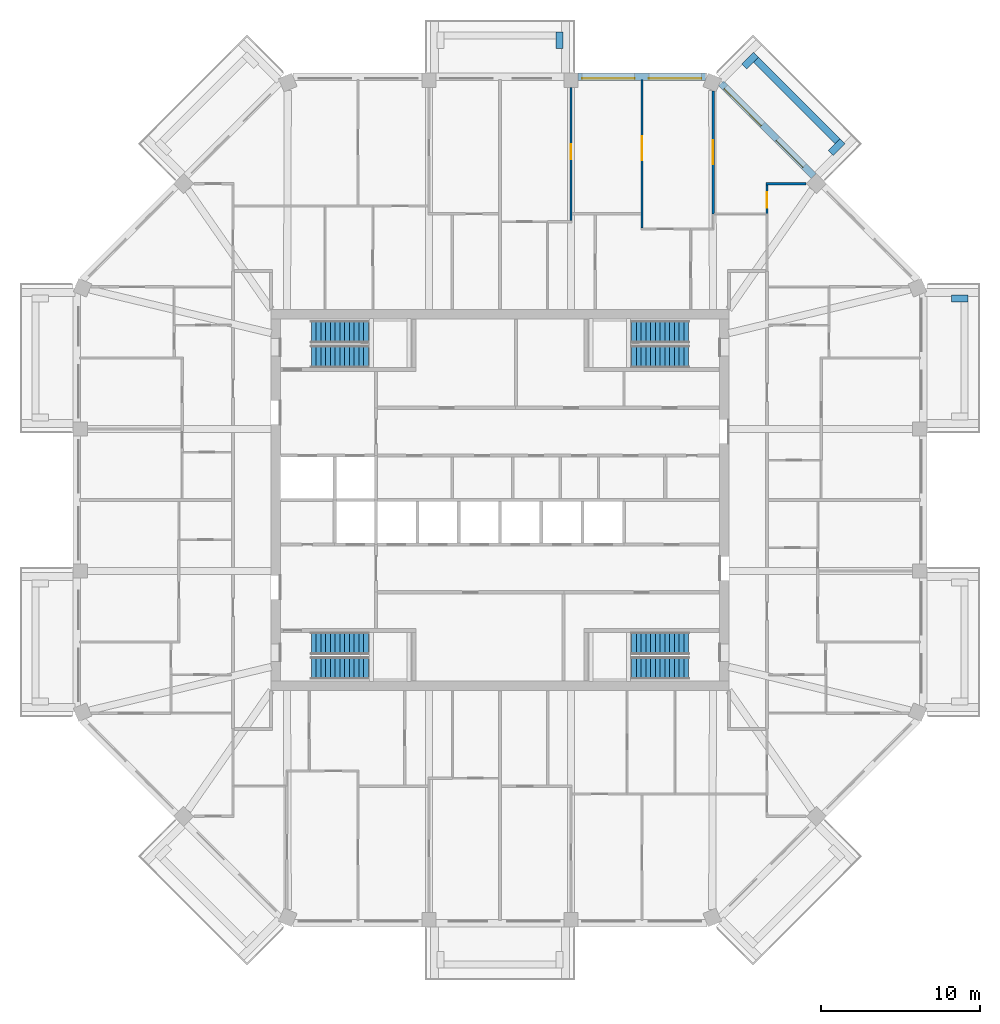
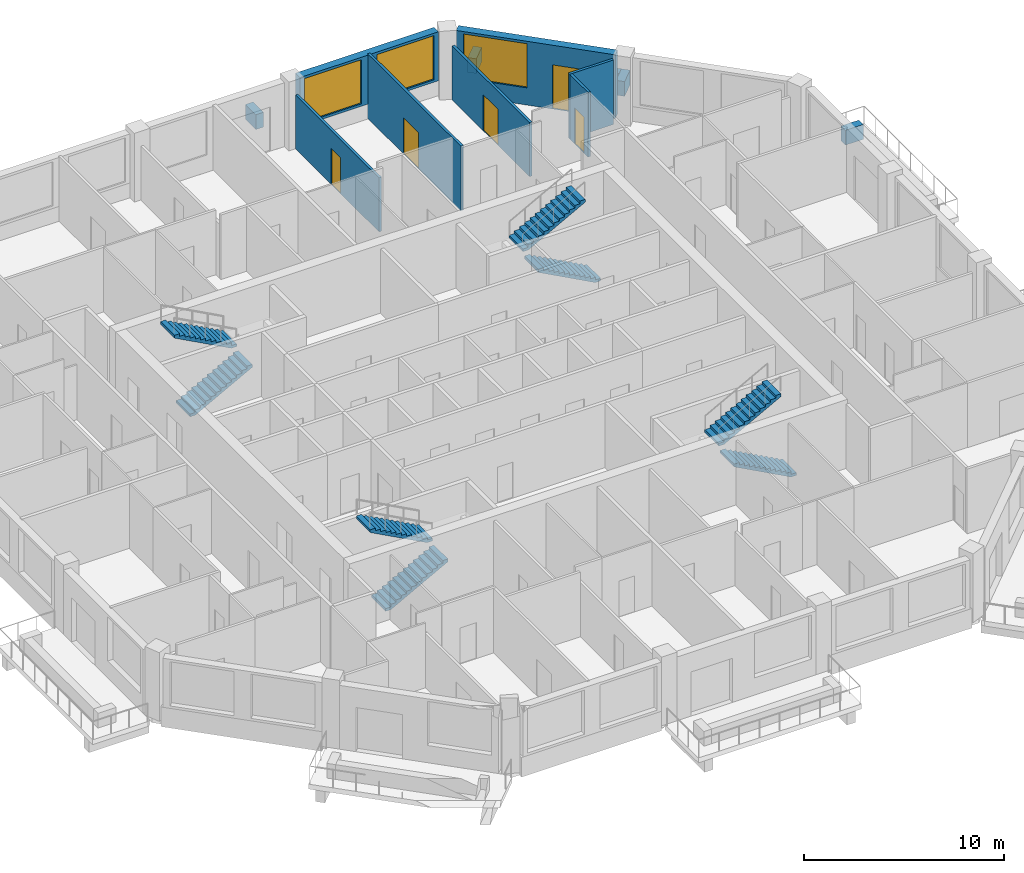
# One storey, part 10 of 12: 12 walls, 8 stair flights, 5 doors, 3 windows, 8 openings, 4 elements without a shape of their own.
"""IFC4 building model written with IfcOpenShell, lengths in metres."""

import ifcopenshell
import ifcopenshell.guid

model = None  # the IFC model being written
_history = None  # IfcOwnerHistory: only IFC2X3 demands one
_inside = {}  # id of a spatial element -> (the spatial element, [elements in it])
_under = {}  # id of a project, library or spatial element -> (it, [spatial elements below it])
_declared = {}  # id of a project -> (the project, [libraries it declares])
_typed = {}  # id of a type object -> (the type object, [elements of that type])
_made_of = {}  # id of a material, layer set ... -> (it, [elements and type objects made of it])


def new_model(schema):
    """Start an empty IFC model of exactly this schema.

    Asked for "IFC4X3", IfcOpenShell would pick the latest addendum, in which some entities
    have other attributes; the version numbers below select the first issue.
    IFC2X3 requires an IfcOwnerHistory on every rooted entity: one is made here for all.
    """
    global model, _history
    if schema == "IFC4X3":
        model = ifcopenshell.file(schema_version=(4, 3, 0, 0))
    else:
        model = ifcopenshell.file(schema=schema)
    _inside.clear()
    _under.clear()
    _declared.clear()
    _typed.clear()
    _made_of.clear()
    _history = None
    if model.schema == "IFC2X3":
        org = make("IfcOrganization", Name="unknown")
        user = make(
            "IfcPersonAndOrganization",
            ThePerson=make("IfcPerson", FamilyName="unknown"),
            TheOrganization=org,
        )
        app = make(
            "IfcApplication",
            ApplicationDeveloper=org,
            Version="unknown",
            ApplicationFullName="unknown",
            ApplicationIdentifier="unknown",
        )
        _history = make(
            "IfcOwnerHistory",
            OwningUser=user,
            OwningApplication=app,
            ChangeAction="ADDED",
            CreationDate=0,
        )
    return model


def make(cls, **values):
    """One entity of the class cls with the attributes given. An attribute that is None is left unset."""
    return model.create_entity(
        cls, **{name: value for name, value in values.items() if value is not None}
    )


def rooted(cls, **values):
    """An entity with a GlobalId (a new one), such as an element, a storey or a relation."""
    return make(cls, GlobalId=ifcopenshell.guid.new(), OwnerHistory=_history, **values)


def si_unit(unit_type, name, prefix=None):
    """IfcSIUnit, for example si_unit("LENGTHUNIT", "METRE", prefix="MILLI")."""
    return make("IfcSIUnit", UnitType=unit_type, Prefix=prefix, Name=name)


def assignment(units):
    """IfcUnitAssignment: the units of a project."""
    return None if units is None else make("IfcUnitAssignment", Units=units)


def point(xyz):
    """IfcCartesianPoint."""
    return None if xyz is None else make("IfcCartesianPoint", Coordinates=xyz)


def direction(xyz):
    """IfcDirection."""
    return None if xyz is None else make("IfcDirection", DirectionRatios=xyz)


def frame(location, z_axis=None, x_axis=None):
    """IfcAxis2Placement3D, a coordinate frame: its origin and axes. An axis left out is left unset."""
    return make(
        "IfcAxis2Placement3D",
        Location=point(location),
        Axis=direction(z_axis),
        RefDirection=direction(x_axis),
    )


def frame_2d(location, x_axis=None):
    """IfcAxis2Placement2D, a coordinate frame in the plane: its origin and x axis."""
    return make(
        "IfcAxis2Placement2D", Location=point(location), RefDirection=direction(x_axis)
    )


def origin():
    """The frame at (0, 0, 0) with its axes left unset."""
    return frame((0.0, 0.0, 0.0))


def place(relative_to, where):
    """IfcLocalPlacement: puts the frame where relative to a parent placement (None: the world)."""
    return make(
        "IfcLocalPlacement", PlacementRelTo=relative_to, RelativePlacement=where
    )


def context(
    kind, dimensions, precision=None, world=None, true_north=None, identifier=None
):
    """IfcGeometricRepresentationContext, for example the 3D "Model" context."""
    return make(
        "IfcGeometricRepresentationContext",
        ContextIdentifier=identifier,
        ContextType=kind,
        CoordinateSpaceDimension=dimensions,
        Precision=precision,
        WorldCoordinateSystem=world,
        TrueNorth=true_north,
    )


def subcontext(parent, identifier, kind, view, scale=None):
    """IfcGeometricRepresentationSubContext, for example "Body" below "Model"."""
    return make(
        "IfcGeometricRepresentationSubContext",
        ContextIdentifier=identifier,
        ContextType=kind,
        ParentContext=parent,
        TargetScale=scale,
        TargetView=view,
    )


def project(units=None, contexts=None):
    """IfcProject with its units and contexts."""
    return rooted(
        "IfcProject",
        Name="project",
        RepresentationContexts=contexts,
        UnitsInContext=assignment(units),
    )


def spatial(cls, under=None, at=None, **own):
    """A site, building, storey or space (cls), placed at a placement, below another one or the project."""
    s = rooted(cls, ObjectPlacement=at, **own)
    if under is not None:
        _under.setdefault(under.id(), (under, []))[1].append(s)
    return s


def polyline(points):
    """IfcPolyline through the points."""
    return make("IfcPolyline", Points=[point(p) for p in points])


def profile(cls, at=None, kind="AREA", **sizes):
    """A parametric profile (cls). Its sizes go by their IFC names, for example OverallWidth=200.0."""
    return make(cls, ProfileType=kind, Position=at, **sizes)


def rectangle(**sizes):
    """IfcRectangleProfileDef."""
    return profile("IfcRectangleProfileDef", **sizes)


def outline(outer, holes=None, kind="AREA"):
    """IfcArbitraryClosedProfileDef: a profile drawn as a closed curve; with holes, ...WithVoids."""
    if holes is None:
        return make("IfcArbitraryClosedProfileDef", ProfileType=kind, OuterCurve=outer)
    return make(
        "IfcArbitraryProfileDefWithVoids",
        ProfileType=kind,
        OuterCurve=outer,
        InnerCurves=holes,
    )


def extrude(swept, where, along, depth):
    """IfcExtrudedAreaSolid: the profile swept, set in the frame where, extruded along a direction by depth."""
    return make(
        "IfcExtrudedAreaSolid",
        SweptArea=swept,
        Position=where,
        ExtrudedDirection=direction(along),
        Depth=depth,
    )


def shape(context_of_items, identifier, shape_type, items):
    """IfcShapeRepresentation: the items that make up one representation, for example the "Body"."""
    return make(
        "IfcShapeRepresentation",
        ContextOfItems=context_of_items,
        RepresentationIdentifier=identifier,
        RepresentationType=shape_type,
        Items=items,
    )


def material(Name=None, Category=None):
    """IfcMaterial."""
    return make("IfcMaterial", Name=Name, Category=Category)


def layer(
    of_material, thickness, ventilated=None, Name=None, Category=None, Priority=None
):
    """IfcMaterialLayer: one layer of a wall or slab, of a material (None: an air gap)."""
    return make(
        "IfcMaterialLayer",
        Material=of_material,
        LayerThickness=thickness,
        IsVentilated=ventilated,
        Name=Name,
        Category=Category,
        Priority=Priority,
    )


def layer_set(layers, Name=None):
    """IfcMaterialLayerSet."""
    return make("IfcMaterialLayerSet", MaterialLayers=layers, LayerSetName=Name)


def made_of(thing, what):
    """Note that an element or type object is made of a material, layer set ...; save() writes the relation."""
    if what is not None:
        _made_of.setdefault(what.id(), (what, []))[1].append(thing)
    return thing


def type_object(cls, material=None, **own):
    """A type object (cls), such as IfcWallType, which elements share."""
    return made_of(rooted(cls, **own), material)


def element(
    cls,
    number,
    at=None,
    inside=None,
    cuts=None,
    type_object=None,
    material=None,
    context=None,
    identifier="Body",
    shape_type=None,
    held_by="IfcProductDefinitionShape",
    body=None,
    shapes=None,
    **own,
):
    """One element of the class cls, such as IfcWall. Its Tag is "e" and its number.

    at: its placement. inside: the storey or other place that contains it. cuts: it is an
    opening in that element (IfcRelVoidsElement). A single representation is given by context,
    identifier, shape_type and body (its items); several are given by shapes. held_by: the class
    of the entity that holds the representations. save() writes the other relations.
    """
    e = rooted(cls, Tag="e%d" % number, ObjectPlacement=at, **own)
    if body is not None:
        shapes = [shape(context, identifier, shape_type, body)]
    if shapes is not None:
        e.Representation = make(held_by, Representations=shapes)
    if inside is not None:
        _inside.setdefault(inside.id(), (inside, []))[1].append(e)
    if cuts is not None:
        rooted(
            "IfcRelVoidsElement", RelatingBuildingElement=cuts, RelatedOpeningElement=e
        )
    if type_object is not None:
        _typed.setdefault(type_object.id(), (type_object, []))[1].append(e)
    return made_of(e, material)


def fill(opening, filler):
    """IfcRelFillsElement: the door or window that sits in an opening."""
    return rooted(
        "IfcRelFillsElement",
        RelatingOpeningElement=opening,
        RelatedBuildingElement=filler,
    )


def aggregate(whole, parts):
    """IfcRelAggregates: a whole, such as a stair, and the parts it consists of."""
    return rooted("IfcRelAggregates", RelatingObject=whole, RelatedObjects=parts)


def save(model, path):
    """Write the relations noted so far, then the file.

    IfcRelAggregates (storeys below a building ...), IfcRelContainedInSpatialStructure (elements
    in a storey), IfcRelDefinesByType, IfcRelAssociatesMaterial and IfcRelDeclares: one each for
    every whole, place, type object, material and project.
    """
    for whole, parts in _under.values():
        aggregate(whole, parts)
    for where, things in _inside.values():
        rooted(
            "IfcRelContainedInSpatialStructure",
            RelatedElements=things,
            RelatingStructure=where,
        )
    for kind, things in _typed.values():
        rooted("IfcRelDefinesByType", RelatedObjects=things, RelatingType=kind)
    for what, things in _made_of.values():
        rooted("IfcRelAssociatesMaterial", RelatedObjects=things, RelatingMaterial=what)
    for by, libraries in _declared.values():
        rooted("IfcRelDeclares", RelatingContext=by, RelatedDefinitions=libraries)
    model.write(path)


model = new_model("IFC4")

# Units and contexts
model_context = context("Model", 3, precision=1e-05, world=origin(), true_north=direction((0.0, 1.0)))
body_context = subcontext(model_context, "Body", "Model", "MODEL_VIEW")
ifc_project = project(units=[si_unit("LENGTHUNIT", "METRE"), si_unit("AREAUNIT", "SQUARE_METRE"), si_unit("VOLUMEUNIT", "CUBIC_METRE"), si_unit("PLANEANGLEUNIT", "RADIAN"), si_unit("MASSUNIT", "GRAM", prefix="KILO")], contexts=[model_context])

# Site, building, storey
site_placement = place(None, origin())
site = spatial("IfcSite", under=ifc_project, at=site_placement, CompositionType="ELEMENT")
building_placement = place(site_placement, origin())
building = spatial("IfcBuilding", under=site, at=building_placement, Name="Msitu Wima Residences", CompositionType="ELEMENT")
storey_placement = place(building_placement, frame((0.0, 0.0, 272.699951171875)))
storey = spatial("IfcBuildingStorey", under=building, at=storey_placement, Name="L63", CompositionType="ELEMENT", Elevation=272.699951171875)

# Walls
ifc_material_1 = material(Name="Facing brick")
ifc_layer_1 = layer(ifc_material_1, 0.06494140625, Name="Facing brick")
ifc_material_2 = material(Name="Concrete C40/50", Category="concrete")
ifc_layer_2 = layer(ifc_material_2, 0.156005859375, Name="Concrete C40/50")
ifc_material_3 = material(Name="Waterproofing membrane")
ifc_layer_3 = layer(ifc_material_3, 0.00390625, Name="Waterproofing membrane")
ifc_material_4 = material(Name="Planting soil and planting")
ifc_layer_4 = layer(ifc_material_4, 0.22509765625, Name="Planting soil and planting")
ifc_layer_set_1 = layer_set([ifc_layer_1, ifc_layer_2, ifc_layer_3, ifc_layer_4], Name="Concrete C40/50")
wall_type_1 = type_object("IfcWallType", Name="Balcony planter PLANTER PL450", PredefinedType="USERDEFINED", material=ifc_layer_set_1)
wall_1_placement = place(storey_placement, frame((28.39990234375, 12.680908203125, 0.0), z_axis=(0.0, 0.0, 1.0), x_axis=(1.0, 0.0, 0.0)))
element("IfcWall", 1, at=wall_1_placement, inside=storey, type_object=wall_type_1, Name="Balcony planter E2 L63", ObjectType="PLANTER", PredefinedType="USERDEFINED", context=body_context, shape_type="SweptSolid", body=[
    extrude(rectangle(XDim=1.050048828125, YDim=0.449951171875, at=frame_2d((0.52490234375, 0.0))), origin(), (0.0, 0.0, 1.0), 0.900146484375),
])
wall_2_placement = place(storey_placement, frame((21.228759765625, 22.572265625, 0.0), z_axis=(0.0, 0.0, 1.0), x_axis=(-0.707106781187, 0.707106781187, 0.0)))
element("IfcWall", 2, at=wall_2_placement, inside=storey, type_object=wall_type_1, Name="Balcony planter NE1 L63", ObjectType="PLANTER", PredefinedType="USERDEFINED", context=body_context, shape_type="SweptSolid", body=[
    extrude(rectangle(XDim=7.23828125, YDim=0.449951171875, at=frame_2d((3.619140625, 0.0))), origin(), (0.0, 0.0, 1.0), 0.900146484375),
])
for number, where, z_axis, x_axis, name in (
    (3, (20.804443359375, 21.829833984375, 0.0), (0.0, 0.0, 1.0), (0.707106781187, 0.707106781187, 0.0), "Balcony planter NE1 L63"),
    (4, (15.3681640625, 27.26611328125, 0.0), (0.0, 0.0, 1.0), (0.706990528533, 0.707223014731, 0.0), "Balcony planter NE1 L63"),
    (5, (3.74365234375, 28.39990234375, 0.0), (0.0, 0.0, 1.0), (0.0, 1.0, 0.0), "Balcony planter N1 L63"),
):
    element("IfcWall", number, at=place(storey_placement, frame(where, z_axis=z_axis, x_axis=x_axis)), inside=storey, type_object=wall_type_1, Name=name, ObjectType="PLANTER", PredefinedType="USERDEFINED", context=body_context, shape_type="SweptSolid", body=[
        extrude(rectangle(XDim=1.050048828125, YDim=0.449951171875, at=frame_2d((0.52490234375, 0.0))), origin(), (0.0, 0.0, 1.0), 0.900146484375),
    ])

# Wall, openings, door, window
ifc_material_5 = material(Name="Brick (red buff mix)", Category="masonry")
ifc_layer_5 = layer(ifc_material_5, 0.449951171875)
ifc_layer_set_2 = layer_set([ifc_layer_5], Name="Brick (red buff mix)")
wall_type_2 = type_object("IfcWallType", Name="Brick infill wall BW450", PredefinedType="SOLIDWALL", material=ifc_layer_set_2)
wall_3_placement = place(storey_placement, frame((19.743896484375, 20.380126953125, 0.0), z_axis=(0.0, 0.0, 1.0), x_axis=(-0.707106781187, 0.707106781187, 0.0)))
wall_3 = element("IfcWall", 6, at=wall_3_placement, inside=storey, type_object=wall_type_2, Name="Brick infill wall L63 NE1", PredefinedType="SOLIDWALL", context=body_context, shape_type="SweptSolid", body=[
    extrude(rectangle(XDim=8.251220703125, YDim=0.449951171875, at=frame_2d((4.12548828125, 0.0))), origin(), (0.0, 0.0, 1.0), 3.900146484375),
])
opening_1_placement = place(wall_3_placement, frame((0.86279296875, 0.0, 0.0)))
opening_1 = element("IfcOpeningElement", 7, at=opening_1_placement, cuts=wall_3, Name="Opening D63-64.004", PredefinedType="OPENING", context=body_context, shape_type="SweptSolid", body=[
    extrude(rectangle(XDim=2.39990234375, YDim=2.699951171875, at=frame_2d((1.199951171875, 1.35009765625))), frame((0.0, 0.23486328125, 0.0), z_axis=(0.0, -1.0, 0.0), x_axis=(1.0, 0.0, 0.0)), (0.0, 0.0, 1.0), 0.469970703125),
])
opening_2_placement = place(wall_3_placement, frame((4.57568359375, 0.0, 1.050048828125)))
opening_2 = element("IfcOpeningElement", 8, at=opening_2_placement, cuts=wall_3, Name="Opening W63-64.012", PredefinedType="OPENING", context=body_context, shape_type="SweptSolid", body=[
    extrude(rectangle(XDim=3.300048828125, YDim=2.699951171875, at=frame_2d((1.64990234375, 1.35009765625))), frame((0.0, 0.23486328125, 0.0), z_axis=(0.0, -1.0, 0.0), x_axis=(1.0, 0.0, 0.0)), (0.0, 0.0, 1.0), 0.469970703125),
])
ifc_material_6 = material(Name="Anodised aluminium, bronze finish, clear low-emissivity double glazing", Category="aluminium")
door_type_1 = type_object("IfcDoorType", Name="Balcony door D2400x2700", OperationType="SLIDING_TO_LEFT", PredefinedType="DOOR", material=ifc_material_6)
door_1_placement = place(opening_1_placement, origin())
door_1 = element("IfcDoor", 9, at=door_1_placement, inside=storey, type_object=door_type_1, Name="Balcony door L63 NE1", OperationType="SINGLE_SWING_LEFT", OverallHeight=2.699951171875, OverallWidth=2.39990234375, PredefinedType="DOOR", context=body_context, shape_type="SweptSolid", body=[
    extrude(rectangle(XDim=2.39990234375, YDim=2.699951171875, at=frame_2d((1.199951171875, 1.35009765625))), frame((0.0, 0.1298828125, 0.0), z_axis=(0.0, -1.0, 0.0), x_axis=(1.0, 0.0, 0.0)), (0.0, 0.0, 1.0), 0.050048828125),
])
fill(opening_1, door_1)
window_type = type_object("IfcWindowType", Name="Window W3300x2700", PartitioningType="DOUBLE_PANEL_VERTICAL", PredefinedType="WINDOW", material=ifc_material_6)
window_1_placement = place(opening_2_placement, origin())
window_1 = element("IfcWindow", 10, at=window_1_placement, inside=storey, type_object=window_type, Name="Window L63 NE1.2", OverallHeight=2.699951171875, OverallWidth=3.300048828125, PartitioningType="SINGLE_PANEL", PredefinedType="WINDOW", context=body_context, shape_type="SweptSolid", body=[
    extrude(rectangle(XDim=3.300048828125, YDim=2.699951171875, at=frame_2d((1.64990234375, 1.35009765625))), frame((0.0, 0.135009765625, 0.0), z_axis=(0.0, -1.0, 0.0), x_axis=(1.0, 0.0, 0.0)), (0.0, 0.0, 1.0), 0.06005859375),
])
fill(opening_2, window_1)

# Wall, openings, windows
wall_4_placement = place(storey_placement, frame((12.918701171875, 26.625, 0.900146484375), z_axis=(0.0, 0.0, 1.0), x_axis=(-1.0, 0.0, 0.0)))
wall_4 = element("IfcWall", 11, at=wall_4_placement, inside=storey, type_object=wall_type_2, Name="Brick infill wall L63 N0", PredefinedType="SOLIDWALL", context=body_context, shape_type="SweptSolid", body=[
    extrude(rectangle(XDim=8.0, YDim=0.449951171875, at=frame_2d((4.0, 0.0))), origin(), (0.0, 0.0, 1.0), 3.0),
])
opening_3_placement = place(wall_4_placement, frame((0.25, 0.0, 0.14990234375)))
opening_3 = element("IfcOpeningElement", 12, at=opening_3_placement, cuts=wall_4, Name="Opening W63-64.005", PredefinedType="OPENING", context=body_context, shape_type="SweptSolid", body=[
    extrude(rectangle(XDim=3.300048828125, YDim=2.699951171875, at=frame_2d((1.64990234375, 1.35009765625))), frame((0.0, 0.23486328125, 0.0), z_axis=(0.0, -1.0, 0.0), x_axis=(1.0, 0.0, 0.0)), (0.0, 0.0, 1.0), 0.469970703125),
])
opening_4_placement = place(wall_4_placement, frame((4.4501953125, 0.0, 0.14990234375)))
opening_4 = element("IfcOpeningElement", 13, at=opening_4_placement, cuts=wall_4, Name="Opening W63-64.006", PredefinedType="OPENING", context=body_context, shape_type="SweptSolid", body=[
    extrude(rectangle(XDim=3.300048828125, YDim=2.699951171875, at=frame_2d((1.64990234375, 1.35009765625))), frame((0.0, 0.23486328125, 0.0), z_axis=(0.0, -1.0, 0.0), x_axis=(1.0, 0.0, 0.0)), (0.0, 0.0, 1.0), 0.469970703125),
])
window_2_placement = place(opening_3_placement, origin())
window_2 = element("IfcWindow", 14, at=window_2_placement, inside=storey, type_object=window_type, Name="Window L63 N0.1", OverallHeight=2.699951171875, OverallWidth=3.300048828125, PartitioningType="SINGLE_PANEL", PredefinedType="WINDOW", context=body_context, shape_type="SweptSolid", body=[
    extrude(rectangle(XDim=3.300048828125, YDim=2.699951171875, at=frame_2d((1.64990234375, 1.35009765625))), frame((0.0, 0.135009765625, 0.0), z_axis=(0.0, -1.0, 0.0), x_axis=(1.0, 0.0, 0.0)), (0.0, 0.0, 1.0), 0.06005859375),
])
fill(opening_3, window_2)
window_3_placement = place(opening_4_placement, origin())
window_3 = element("IfcWindow", 15, at=window_3_placement, inside=storey, type_object=window_type, Name="Window L63 N0.2", OverallHeight=2.699951171875, OverallWidth=3.300048828125, PartitioningType="SINGLE_PANEL", PredefinedType="WINDOW", context=body_context, shape_type="SweptSolid", body=[
    extrude(rectangle(XDim=3.300048828125, YDim=2.699951171875, at=frame_2d((1.64990234375, 1.35009765625))), frame((0.0, 0.135009765625, 0.0), z_axis=(0.0, -1.0, 0.0), x_axis=(1.0, 0.0, 0.0)), (0.0, 0.0, 1.0), 0.06005859375),
])
fill(opening_4, window_3)

# Wall, opening, door
ifc_material_7 = material(Name="Plaster")
ifc_layer_6 = layer(ifc_material_7, 0.011962890625, Name="Plaster")
ifc_material_8 = material(Name="Concrete blockwork", Category="masonry")
ifc_layer_7 = layer(ifc_material_8, 0.1259765625, Name="Concrete blockwork")
ifc_layer_8 = layer(ifc_material_7, 0.011962890625, Name="Plaster")
ifc_layer_set_3 = layer_set([ifc_layer_6, ifc_layer_7, ifc_layer_8], Name="Concrete blockwork")
wall_type_3 = type_object("IfcWallType", Name="Partition PW150", PredefinedType="PARTITIONING", material=ifc_layer_set_3)
wall_5_placement = place(storey_placement, frame((4.46875, 17.574951171875, 0.0), z_axis=(0.0, 0.0, 1.0), x_axis=(0.0, 1.0, 0.0)))
wall_5 = element("IfcWall", 16, at=wall_5_placement, inside=storey, type_object=wall_type_3, Name="Partition", PredefinedType="PARTITIONING", context=body_context, shape_type="SweptSolid", body=[
    extrude(rectangle(XDim=8.375, YDim=0.14990234375, at=frame_2d((4.1875, 0.0))), origin(), (0.0, 0.0, 1.0), 3.300048828125),
])
opening_5_placement = place(wall_5_placement, frame((3.85009765625, 0.0, 0.0)))
opening_5 = element("IfcOpeningElement", 17, at=opening_5_placement, cuts=wall_5, Name="Opening D63-64.015", PredefinedType="OPENING", context=body_context, shape_type="SweptSolid", body=[
    extrude(rectangle(XDim=0.949951171875, YDim=2.199951171875, at=frame_2d((0.47509765625, 1.10009765625))), frame((0.0, 0.0849609375, 0.0), z_axis=(0.0, -1.0, 0.0), x_axis=(1.0, 0.0, 0.0)), (0.0, 0.0, 1.0), 0.169921875),
])
ifc_material_9 = material(Name="Timber flush door", Category="wood")
door_type_2 = type_object("IfcDoorType", Name="Room door D12 950x2200", OperationType="SINGLE_SWING_LEFT", PredefinedType="DOOR", material=ifc_material_9)
door_2_placement = place(opening_5_placement, origin())
door_2 = element("IfcDoor", 18, at=door_2_placement, inside=storey, type_object=door_type_2, Name="Room door", OperationType="SINGLE_SWING_RIGHT", OverallHeight=2.199951171875, OverallWidth=0.949951171875, PredefinedType="DOOR", context=body_context, shape_type="SweptSolid", body=[
    extrude(rectangle(XDim=0.949951171875, YDim=2.199951171875, at=frame_2d((0.47509765625, 1.10009765625))), frame((0.0, 0.02490234375, 0.0), z_axis=(0.0, -1.0, 0.0), x_axis=(1.0, 0.0, 0.0)), (0.0, 0.0, 1.0), 0.050048828125),
])
fill(opening_5, door_2)

wall_6_placement = place(storey_placement, frame((8.937255859375, 17.125, 0.0), z_axis=(0.0, 0.0, 1.0), x_axis=(0.0, 1.0, 0.0)))
wall_6 = element("IfcWall", 19, at=wall_6_placement, inside=storey, type_object=wall_type_3, Name="Partition", PredefinedType="PARTITIONING", context=body_context, shape_type="SweptSolid", body=[
    extrude(rectangle(XDim=9.330078125, YDim=0.14990234375, at=frame_2d((4.6650390625, 0.0))), origin(), (0.0, 0.0, 1.0), 3.949951171875),
])
opening_6_placement = place(wall_6_placement, frame((4.25, 0.0, 0.0)))
opening_6 = element("IfcOpeningElement", 20, at=opening_6_placement, cuts=wall_6, Name="Opening D63-64.013", PredefinedType="OPENING", context=body_context, shape_type="SweptSolid", body=[
    extrude(rectangle(XDim=1.5, YDim=2.199951171875, at=frame_2d((0.75, 1.10009765625))), frame((0.0, 0.0849609375, 0.0), z_axis=(0.0, -1.0, 0.0), x_axis=(1.0, 0.0, 0.0)), (0.0, 0.0, 1.0), 0.169921875),
])
ifc_material_10 = material(Name="Timber double door", Category="wood")
door_type_3 = type_object("IfcDoorType", Name="Double door D04 1500x2200", OperationType="DOUBLE_DOOR_SINGLE_SWING", PredefinedType="DOOR", material=ifc_material_10)
door_3_placement = place(opening_6_placement, origin())
door_3 = element("IfcDoor", 21, at=door_3_placement, inside=storey, type_object=door_type_3, Name="Double door", OperationType="DOUBLE_DOOR_SINGLE_SWING", OverallHeight=2.199951171875, OverallWidth=1.5, PredefinedType="DOOR", context=body_context, shape_type="SweptSolid", body=[
    extrude(rectangle(XDim=1.5, YDim=2.199951171875, at=frame_2d((0.75, 1.10009765625))), frame((0.0, 0.02490234375, 0.0), z_axis=(0.0, -1.0, 0.0), x_axis=(1.0, 0.0, 0.0)), (0.0, 0.0, 1.0), 0.050048828125),
])
fill(opening_6, door_3)

wall_7_placement = place(storey_placement, frame((13.406005859375, 17.97998046875, 0.0), z_axis=(0.0, 0.0, 1.0), x_axis=(0.0, 1.0, 0.0)))
wall_7 = element("IfcWall", 22, at=wall_7_placement, inside=storey, type_object=wall_type_3, Name="Partition", PredefinedType="PARTITIONING", context=body_context, shape_type="SweptSolid", body=[
    extrude(rectangle(XDim=7.751220703125, YDim=0.14990234375, at=frame_2d((3.87548828125, 0.0))), origin(), (0.0, 0.0, 1.0), 3.300048828125),
])
opening_7_placement = place(wall_7_placement, frame((3.14990234375, 0.0, 0.0)))
opening_7 = element("IfcOpeningElement", 23, at=opening_7_placement, cuts=wall_7, Name="Opening D63-64.022", PredefinedType="OPENING", context=body_context, shape_type="SweptSolid", body=[
    extrude(rectangle(XDim=1.5, YDim=2.199951171875, at=frame_2d((0.75, 1.10009765625))), frame((0.0, 0.0849609375, 0.0), z_axis=(0.0, -1.0, 0.0), x_axis=(1.0, 0.0, 0.0)), (0.0, 0.0, 1.0), 0.169921875),
])
door_4_placement = place(opening_7_placement, origin())
door_4 = element("IfcDoor", 24, at=door_4_placement, inside=storey, type_object=door_type_3, Name="Double door", OperationType="DOUBLE_DOOR_SINGLE_SWING", OverallHeight=2.199951171875, OverallWidth=1.5, PredefinedType="DOOR", context=body_context, shape_type="SweptSolid", body=[
    extrude(rectangle(XDim=1.5, YDim=2.199951171875, at=frame_2d((0.75, 1.10009765625))), frame((0.0, 0.02490234375, 0.0), z_axis=(0.0, -1.0, 0.0), x_axis=(1.0, 0.0, 0.0)), (0.0, 0.0, 1.0), 0.050048828125),
])
fill(opening_7, door_4)

wall_8_placement = place(storey_placement, frame((16.800048828125, 18.0, 0.0), z_axis=(0.0, 0.0, 1.0), x_axis=(0.0, 1.0, 0.0)))
wall_8 = element("IfcWall", 25, at=wall_8_placement, inside=storey, type_object=wall_type_3, Name="Partition", PredefinedType="PARTITIONING", context=body_context, shape_type="SweptSolid", body=[
    extrude(rectangle(XDim=1.827880859375, YDim=0.14990234375, at=frame_2d((0.9140625, 0.0))), origin(), (0.0, 0.0, 1.0), 3.949951171875),
])
opening_8_placement = place(wall_8_placement, frame((0.39990234375, 0.0, 0.0)))
opening_8 = element("IfcOpeningElement", 26, at=opening_8_placement, cuts=wall_8, Name="Opening D63-64.021", PredefinedType="OPENING", context=body_context, shape_type="SweptSolid", body=[
    extrude(rectangle(XDim=0.949951171875, YDim=2.199951171875, at=frame_2d((0.47509765625, 1.10009765625))), frame((0.0, 0.0849609375, 0.0), z_axis=(0.0, -1.0, 0.0), x_axis=(1.0, 0.0, 0.0)), (0.0, 0.0, 1.0), 0.169921875),
])
door_5_placement = place(opening_8_placement, origin())
door_5 = element("IfcDoor", 27, at=door_5_placement, inside=storey, type_object=door_type_2, Name="Room door", OperationType="SINGLE_SWING_LEFT", OverallHeight=2.199951171875, OverallWidth=0.949951171875, PredefinedType="DOOR", context=body_context, shape_type="SweptSolid", body=[
    extrude(rectangle(XDim=0.949951171875, YDim=2.199951171875, at=frame_2d((0.47509765625, 1.10009765625))), frame((0.0, 0.02490234375, 0.0), z_axis=(0.0, -1.0, 0.0), x_axis=(1.0, 0.0, 0.0)), (0.0, 0.0, 1.0), 0.050048828125),
])
fill(opening_8, door_5)

# Wall
wall_9_placement = place(storey_placement, frame((16.72509765625, 19.90283203125, 0.0), z_axis=(0.0, 0.0, 1.0), x_axis=(1.0, 0.0, 0.0)))
element("IfcWall", 28, at=wall_9_placement, inside=storey, type_object=wall_type_3, Name="Partition", PredefinedType="PARTITIONING", context=body_context, shape_type="SweptSolid", body=[
    extrude(rectangle(XDim=2.54150390625, YDim=0.14990234375, at=frame_2d((1.270751953125, 0.0))), origin(), (0.0, 0.0, 1.0), 3.949951171875),
])

# Stair, stair flights
stair_type = type_object("IfcStairType", Name="Exit stair ES1615-140", PredefinedType="HALF_TURN_STAIR", material=ifc_material_2)
stair_1_placement = place(storey_placement, origin())
stair_1 = element("IfcStair", 29, at=stair_1_placement, inside=storey, type_object=stair_type, Name="Exit stair 1", PredefinedType="HALF_TURN_STAIR")
stair_flight_type = type_object("IfcStairFlightType", Name="Exit stair flight ES1615-140", PredefinedType="STRAIGHT", material=ifc_material_2)
stair_flight_1_placement = place(storey_placement, frame((-11.875, 9.02490234375, 0.0), z_axis=(0.0, 0.0, 1.0), x_axis=(1.0, 0.0, 0.0)))
stair_flight_1 = element("IfcStairFlight", 30, at=stair_flight_1_placement, type_object=stair_flight_type, Name="S1 flight 1", NumberOfRisers=13, NumberOfTreads=12, PredefinedType="STRAIGHT", RiserHeight=0.161538462, TreadLength=0.3, context=body_context, shape_type="SweptSolid", body=[
    extrude(outline(polyline([(0.0, 0.0), (0.0, 0.16162109375), (0.300048828125, 0.16162109375), (0.300048828125, 0.322998046875), (0.60009765625, 0.322998046875), (0.60009765625, 0.484619140625), (0.89990234375, 0.484619140625), (0.89990234375, 0.646240234375), (1.199951171875, 0.646240234375), (1.199951171875, 0.8076171875), (1.5, 0.8076171875), (1.5, 0.96923828125), (1.800048828125, 0.96923828125), (1.800048828125, 1.130859375), (2.10009765625, 1.130859375), (2.10009765625, 1.292236328125), (2.39990234375, 1.292236328125), (2.39990234375, 1.453857421875), (2.699951171875, 1.453857421875), (2.699951171875, 1.615478515625), (3.0, 1.615478515625), (3.0, 1.77685546875), (3.300048828125, 1.77685546875), (3.300048828125, 1.9384765625), (3.60009765625, 1.9384765625), (3.60009765625, 2.10009765625), (3.60009765625, 1.768310546875), (0.316162109375, 0.0), (0.0, 0.0)])), frame((0.0, 0.699951171875, 0.0), z_axis=(0.0, -1.0, 0.0), x_axis=(1.0, 0.0, 0.0)), (0.0, 0.0, 1.0), 1.39990234375),
])
stair_flight_2_placement = place(storey_placement, frame((-8.27490234375, 10.574951171875, 2.10009765625), z_axis=(0.0, 0.0, 1.0), x_axis=(-1.0, 0.0, 0.0)))
stair_flight_2 = element("IfcStairFlight", 31, at=stair_flight_2_placement, type_object=stair_flight_type, Name="S1 flight 2", NumberOfRisers=13, NumberOfTreads=12, PredefinedType="STRAIGHT", RiserHeight=0.161538462, TreadLength=0.3, context=body_context, shape_type="SweptSolid", body=[
    extrude(outline(polyline([(0.0, 0.0), (0.0, 0.16162109375), (0.300048828125, 0.16162109375), (0.300048828125, 0.322998046875), (0.60009765625, 0.322998046875), (0.60009765625, 0.484619140625), (0.89990234375, 0.484619140625), (0.89990234375, 0.646240234375), (1.199951171875, 0.646240234375), (1.199951171875, 0.8076171875), (1.5, 0.8076171875), (1.5, 0.96923828125), (1.800048828125, 0.96923828125), (1.800048828125, 1.130859375), (2.10009765625, 1.130859375), (2.10009765625, 1.292236328125), (2.39990234375, 1.292236328125), (2.39990234375, 1.453857421875), (2.699951171875, 1.453857421875), (2.699951171875, 1.615478515625), (3.0, 1.615478515625), (3.0, 1.77685546875), (3.300048828125, 1.77685546875), (3.300048828125, 1.9384765625), (3.60009765625, 1.9384765625), (3.60009765625, 2.10009765625), (3.60009765625, 1.768310546875), (0.316162109375, 0.0), (0.0, 0.0)])), frame((0.0, 0.699951171875, 0.0), z_axis=(0.0, -1.0, 0.0), x_axis=(1.0, 0.0, 0.0)), (0.0, 0.0, 1.0), 1.39990234375),
])
aggregate(stair_1, [stair_flight_1, stair_flight_2])

stair_2_placement = place(storey_placement, origin())
stair_2 = element("IfcStair", 32, at=stair_2_placement, inside=storey, type_object=stair_type, Name="Exit stair 2", PredefinedType="HALF_TURN_STAIR")
stair_flight_3_placement = place(storey_placement, frame((-11.875, -10.574951171875, 0.0), z_axis=(0.0, 0.0, 1.0), x_axis=(1.0, 0.0, 0.0)))
stair_flight_3 = element("IfcStairFlight", 33, at=stair_flight_3_placement, type_object=stair_flight_type, Name="S2 flight 1", NumberOfRisers=13, NumberOfTreads=12, PredefinedType="STRAIGHT", RiserHeight=0.161538462, TreadLength=0.3, context=body_context, shape_type="SweptSolid", body=[
    extrude(outline(polyline([(0.0, 0.0), (0.0, 0.16162109375), (0.300048828125, 0.16162109375), (0.300048828125, 0.322998046875), (0.60009765625, 0.322998046875), (0.60009765625, 0.484619140625), (0.89990234375, 0.484619140625), (0.89990234375, 0.646240234375), (1.199951171875, 0.646240234375), (1.199951171875, 0.8076171875), (1.5, 0.8076171875), (1.5, 0.96923828125), (1.800048828125, 0.96923828125), (1.800048828125, 1.130859375), (2.10009765625, 1.130859375), (2.10009765625, 1.292236328125), (2.39990234375, 1.292236328125), (2.39990234375, 1.453857421875), (2.699951171875, 1.453857421875), (2.699951171875, 1.615478515625), (3.0, 1.615478515625), (3.0, 1.77685546875), (3.300048828125, 1.77685546875), (3.300048828125, 1.9384765625), (3.60009765625, 1.9384765625), (3.60009765625, 2.10009765625), (3.60009765625, 1.768310546875), (0.316162109375, 0.0), (0.0, 0.0)])), frame((0.0, 0.699951171875, 0.0), z_axis=(0.0, -1.0, 0.0), x_axis=(1.0, 0.0, 0.0)), (0.0, 0.0, 1.0), 1.39990234375),
])
stair_flight_4_placement = place(storey_placement, frame((-8.27490234375, -9.02490234375, 2.10009765625), z_axis=(0.0, 0.0, 1.0), x_axis=(-1.0, 0.0, 0.0)))
stair_flight_4 = element("IfcStairFlight", 34, at=stair_flight_4_placement, type_object=stair_flight_type, Name="S2 flight 2", NumberOfRisers=13, NumberOfTreads=12, PredefinedType="STRAIGHT", RiserHeight=0.161538462, TreadLength=0.3, context=body_context, shape_type="SweptSolid", body=[
    extrude(outline(polyline([(0.0, 0.0), (0.0, 0.16162109375), (0.300048828125, 0.16162109375), (0.300048828125, 0.322998046875), (0.60009765625, 0.322998046875), (0.60009765625, 0.484619140625), (0.89990234375, 0.484619140625), (0.89990234375, 0.646240234375), (1.199951171875, 0.646240234375), (1.199951171875, 0.8076171875), (1.5, 0.8076171875), (1.5, 0.96923828125), (1.800048828125, 0.96923828125), (1.800048828125, 1.130859375), (2.10009765625, 1.130859375), (2.10009765625, 1.292236328125), (2.39990234375, 1.292236328125), (2.39990234375, 1.453857421875), (2.699951171875, 1.453857421875), (2.699951171875, 1.615478515625), (3.0, 1.615478515625), (3.0, 1.77685546875), (3.300048828125, 1.77685546875), (3.300048828125, 1.9384765625), (3.60009765625, 1.9384765625), (3.60009765625, 2.10009765625), (3.60009765625, 1.768310546875), (0.316162109375, 0.0), (0.0, 0.0)])), frame((0.0, 0.699951171875, 0.0), z_axis=(0.0, -1.0, 0.0), x_axis=(1.0, 0.0, 0.0)), (0.0, 0.0, 1.0), 1.39990234375),
])
aggregate(stair_2, [stair_flight_3, stair_flight_4])

stair_3_placement = place(storey_placement, origin())
stair_3 = element("IfcStair", 35, at=stair_3_placement, inside=storey, type_object=stair_type, Name="Exit stair 3", PredefinedType="HALF_TURN_STAIR")
stair_flight_5_placement = place(storey_placement, frame((11.875, 9.02490234375, 0.0), z_axis=(0.0, 0.0, 1.0), x_axis=(-1.0, 0.0, 0.0)))
stair_flight_5 = element("IfcStairFlight", 36, at=stair_flight_5_placement, type_object=stair_flight_type, Name="S3 flight 1", NumberOfRisers=13, NumberOfTreads=12, PredefinedType="STRAIGHT", RiserHeight=0.161538462, TreadLength=0.3, context=body_context, shape_type="SweptSolid", body=[
    extrude(outline(polyline([(0.0, 0.0), (0.0, 0.16162109375), (0.300048828125, 0.16162109375), (0.300048828125, 0.322998046875), (0.60009765625, 0.322998046875), (0.60009765625, 0.484619140625), (0.89990234375, 0.484619140625), (0.89990234375, 0.646240234375), (1.199951171875, 0.646240234375), (1.199951171875, 0.8076171875), (1.5, 0.8076171875), (1.5, 0.96923828125), (1.800048828125, 0.96923828125), (1.800048828125, 1.130859375), (2.10009765625, 1.130859375), (2.10009765625, 1.292236328125), (2.39990234375, 1.292236328125), (2.39990234375, 1.453857421875), (2.699951171875, 1.453857421875), (2.699951171875, 1.615478515625), (3.0, 1.615478515625), (3.0, 1.77685546875), (3.300048828125, 1.77685546875), (3.300048828125, 1.9384765625), (3.60009765625, 1.9384765625), (3.60009765625, 2.10009765625), (3.60009765625, 1.768310546875), (0.316162109375, 0.0), (0.0, 0.0)])), frame((0.0, 0.699951171875, 0.0), z_axis=(0.0, -1.0, 0.0), x_axis=(1.0, 0.0, 0.0)), (0.0, 0.0, 1.0), 1.39990234375),
])
stair_flight_6_placement = place(storey_placement, frame((8.27490234375, 10.574951171875, 2.10009765625), z_axis=(0.0, 0.0, 1.0), x_axis=(1.0, 0.0, 0.0)))
stair_flight_6 = element("IfcStairFlight", 37, at=stair_flight_6_placement, type_object=stair_flight_type, Name="S3 flight 2", NumberOfRisers=13, NumberOfTreads=12, PredefinedType="STRAIGHT", RiserHeight=0.161538462, TreadLength=0.3, context=body_context, shape_type="SweptSolid", body=[
    extrude(outline(polyline([(0.0, 0.0), (0.0, 0.16162109375), (0.300048828125, 0.16162109375), (0.300048828125, 0.322998046875), (0.60009765625, 0.322998046875), (0.60009765625, 0.484619140625), (0.89990234375, 0.484619140625), (0.89990234375, 0.646240234375), (1.199951171875, 0.646240234375), (1.199951171875, 0.8076171875), (1.5, 0.8076171875), (1.5, 0.96923828125), (1.800048828125, 0.96923828125), (1.800048828125, 1.130859375), (2.10009765625, 1.130859375), (2.10009765625, 1.292236328125), (2.39990234375, 1.292236328125), (2.39990234375, 1.453857421875), (2.699951171875, 1.453857421875), (2.699951171875, 1.615478515625), (3.0, 1.615478515625), (3.0, 1.77685546875), (3.300048828125, 1.77685546875), (3.300048828125, 1.9384765625), (3.60009765625, 1.9384765625), (3.60009765625, 2.10009765625), (3.60009765625, 1.768310546875), (0.316162109375, 0.0), (0.0, 0.0)])), frame((0.0, 0.699951171875, 0.0), z_axis=(0.0, -1.0, 0.0), x_axis=(1.0, 0.0, 0.0)), (0.0, 0.0, 1.0), 1.39990234375),
])
aggregate(stair_3, [stair_flight_5, stair_flight_6])

stair_4_placement = place(storey_placement, origin())
stair_4 = element("IfcStair", 38, at=stair_4_placement, inside=storey, type_object=stair_type, Name="Exit stair 4", PredefinedType="HALF_TURN_STAIR")
stair_flight_7_placement = place(storey_placement, frame((11.875, -10.574951171875, 0.0), z_axis=(0.0, 0.0, 1.0), x_axis=(-1.0, 0.0, 0.0)))
stair_flight_7 = element("IfcStairFlight", 39, at=stair_flight_7_placement, type_object=stair_flight_type, Name="S4 flight 1", NumberOfRisers=13, NumberOfTreads=12, PredefinedType="STRAIGHT", RiserHeight=0.161538462, TreadLength=0.3, context=body_context, shape_type="SweptSolid", body=[
    extrude(outline(polyline([(0.0, 0.0), (0.0, 0.16162109375), (0.300048828125, 0.16162109375), (0.300048828125, 0.322998046875), (0.60009765625, 0.322998046875), (0.60009765625, 0.484619140625), (0.89990234375, 0.484619140625), (0.89990234375, 0.646240234375), (1.199951171875, 0.646240234375), (1.199951171875, 0.8076171875), (1.5, 0.8076171875), (1.5, 0.96923828125), (1.800048828125, 0.96923828125), (1.800048828125, 1.130859375), (2.10009765625, 1.130859375), (2.10009765625, 1.292236328125), (2.39990234375, 1.292236328125), (2.39990234375, 1.453857421875), (2.699951171875, 1.453857421875), (2.699951171875, 1.615478515625), (3.0, 1.615478515625), (3.0, 1.77685546875), (3.300048828125, 1.77685546875), (3.300048828125, 1.9384765625), (3.60009765625, 1.9384765625), (3.60009765625, 2.10009765625), (3.60009765625, 1.768310546875), (0.316162109375, 0.0), (0.0, 0.0)])), frame((0.0, 0.699951171875, 0.0), z_axis=(0.0, -1.0, 0.0), x_axis=(1.0, 0.0, 0.0)), (0.0, 0.0, 1.0), 1.39990234375),
])
stair_flight_8_placement = place(storey_placement, frame((8.27490234375, -9.02490234375, 2.10009765625), z_axis=(0.0, 0.0, 1.0), x_axis=(1.0, 0.0, 0.0)))
stair_flight_8 = element("IfcStairFlight", 40, at=stair_flight_8_placement, type_object=stair_flight_type, Name="S4 flight 2", NumberOfRisers=13, NumberOfTreads=12, PredefinedType="STRAIGHT", RiserHeight=0.161538462, TreadLength=0.3, context=body_context, shape_type="SweptSolid", body=[
    extrude(outline(polyline([(0.0, 0.0), (0.0, 0.16162109375), (0.300048828125, 0.16162109375), (0.300048828125, 0.322998046875), (0.60009765625, 0.322998046875), (0.60009765625, 0.484619140625), (0.89990234375, 0.484619140625), (0.89990234375, 0.646240234375), (1.199951171875, 0.646240234375), (1.199951171875, 0.8076171875), (1.5, 0.8076171875), (1.5, 0.96923828125), (1.800048828125, 0.96923828125), (1.800048828125, 1.130859375), (2.10009765625, 1.130859375), (2.10009765625, 1.292236328125), (2.39990234375, 1.292236328125), (2.39990234375, 1.453857421875), (2.699951171875, 1.453857421875), (2.699951171875, 1.615478515625), (3.0, 1.615478515625), (3.0, 1.77685546875), (3.300048828125, 1.77685546875), (3.300048828125, 1.9384765625), (3.60009765625, 1.9384765625), (3.60009765625, 2.10009765625), (3.60009765625, 1.768310546875), (0.316162109375, 0.0), (0.0, 0.0)])), frame((0.0, 0.699951171875, 0.0), z_axis=(0.0, -1.0, 0.0), x_axis=(1.0, 0.0, 0.0)), (0.0, 0.0, 1.0), 1.39990234375),
])
aggregate(stair_4, [stair_flight_7, stair_flight_8])

save(model, "model.ifc")
